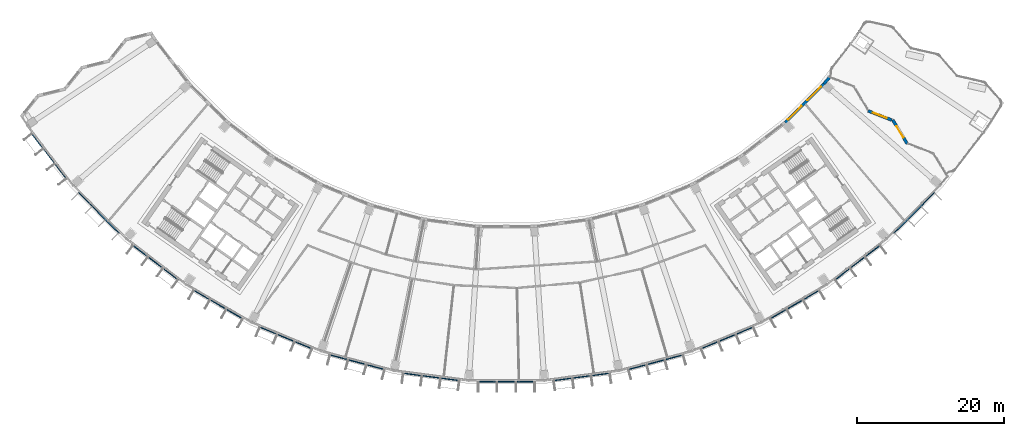
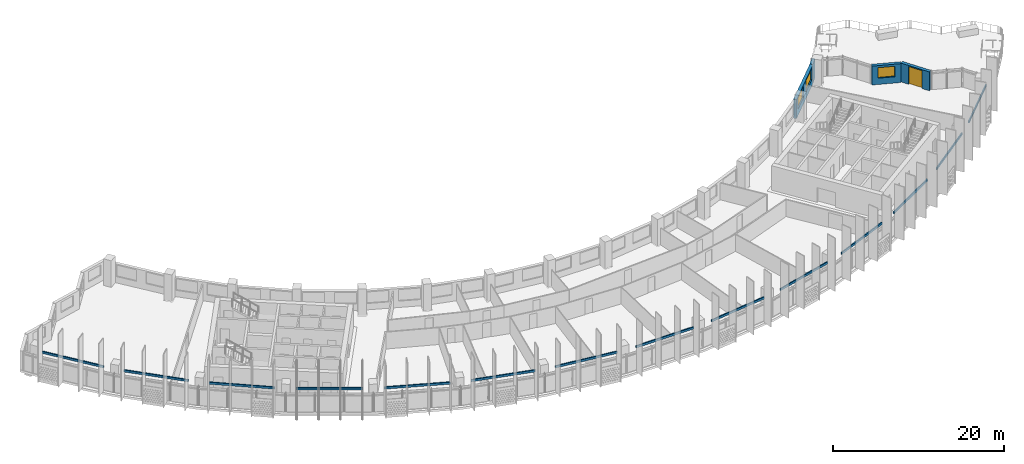
# One storey, part 7 of 30: 14 discrete accessories, 4 walls, 3 windows, 1 door, 4 openings.
"""IFC4 building model written with IfcOpenShell, lengths in metres."""

from ifc_helpers import new_model, si_unit, direction, frame, frame_2d, origin, origin_2d, place, context, subcontext, project, spatial, rectangle, extrude, material, layer, layer_set, type_object, element, fill, save


model = new_model("IFC4")

# Units and contexts
model_context = context("Model", 3, precision=1e-05, world=origin(), true_north=direction((0.0, 1.0)))
body_context = subcontext(model_context, "Body", "Model", "MODEL_VIEW")
ifc_project = project(units=[si_unit("LENGTHUNIT", "METRE"), si_unit("AREAUNIT", "SQUARE_METRE"), si_unit("VOLUMEUNIT", "CUBIC_METRE"), si_unit("PLANEANGLEUNIT", "RADIAN"), si_unit("MASSUNIT", "GRAM", prefix="KILO")], contexts=[model_context])

# Site, building, storey
site_placement = place(None, origin())
site = spatial("IfcSite", under=ifc_project, at=site_placement, CompositionType="ELEMENT")
building_placement = place(site_placement, origin())
building = spatial("IfcBuilding", under=site, at=building_placement, Name="Qamariyya Broadcast Tower", CompositionType="ELEMENT")
storey_placement = place(building_placement, frame((0.0, 0.0, 203.699951171875)))
storey = spatial("IfcBuildingStorey", under=building, at=storey_placement, Name="L48", CompositionType="ELEMENT", Elevation=203.699951171875)

# Wall, opening, door
ifc_material_1 = material(Name="Terracotta", Category="masonry")
ifc_layer = layer(ifc_material_1, 0.39990234375)
ifc_layer_set = layer_set([ifc_layer], Name="Terracotta clad wall 400")
wall_type = type_object("IfcWallType", Name="Terracotta clad wall 400", PredefinedType="SOLIDWALL", material=ifc_layer_set)
wall_1_placement = place(storey_placement, frame((54.599365234375, -46.143310546875, 0.0), z_axis=(0.0, 0.0, 1.0), x_axis=(-0.519904253802, 0.854224541253, 0.0)))
wall_1 = element("IfcWall", 1, at=wall_1_placement, inside=storey, type_object=wall_type, Name="e-wl-L48-capE2", PredefinedType="SOLIDWALL", context=body_context, shape_type="SweptSolid", body=[
    extrude(rectangle(XDim=3.809814453125, YDim=0.39990234375, at=frame_2d((1.90478515625, 0.0))), origin(), (0.0, 0.0, 1.0), 2.699951171875),
])
opening_1_placement = place(wall_1_placement, frame((1.0048828125, 0.0, 0.0)))
opening_1 = element("IfcOpeningElement", 2, at=opening_1_placement, cuts=wall_1, Name="Opening ED5", PredefinedType="OPENING", context=body_context, shape_type="SweptSolid", body=[
    extrude(rectangle(XDim=1.800048828125, YDim=2.550048828125, at=frame_2d((0.89990234375, 1.27490234375))), frame((0.0, 0.2099609375, 0.0), z_axis=(0.0, -1.0, 0.0), x_axis=(1.0, 0.0, 0.0)), (0.0, 0.0, 1.0), 0.419921875),
])
ifc_material_2 = material(Name="Toughened glass in stainless steel frame", Category="steel")
door_type = type_object("IfcDoorType", Name="Terrace door 1800 x 2550", OperationType="DOUBLE_DOOR_DOUBLE_SWING", PredefinedType="DOOR", material=ifc_material_2)
door_placement = place(opening_1_placement, origin())
door = element("IfcDoor", 3, at=door_placement, inside=storey, type_object=door_type, Name="e-ed-L48-terraceE", OperationType="DOUBLE_DOOR_DOUBLE_SWING", OverallHeight=2.550048828125, OverallWidth=1.800048828125, PredefinedType="DOOR", context=body_context, shape_type="SweptSolid", body=[
    extrude(rectangle(XDim=1.800048828125, YDim=2.550048828125, at=frame_2d((0.89990234375, 1.27490234375))), frame((0.0, 0.02490234375, 0.0), z_axis=(0.0, -1.0, 0.0), x_axis=(1.0, 0.0, 0.0)), (0.0, 0.0, 1.0), 0.050048828125),
])
fill(opening_1, door)

# Wall, opening, window
wall_2_placement = place(storey_placement, frame((52.4794921875, -42.91259765625, 0.0), z_axis=(0.0, 0.0, 1.0), x_axis=(-0.931550168819, 0.363612820145, 0.0)))
wall_2 = element("IfcWall", 4, at=wall_2_placement, inside=storey, type_object=wall_type, Name="e-wl-L48-capE3", PredefinedType="SOLIDWALL", context=body_context, shape_type="SweptSolid", body=[
    extrude(rectangle(XDim=3.453125, YDim=0.39990234375, at=frame_2d((1.7265625, 0.0))), origin(), (0.0, 0.0, 1.0), 2.699951171875),
])
opening_2_placement = place(wall_2_placement, frame((0.7265625, 0.0, 0.89990234375)))
opening_2 = element("IfcOpeningElement", 5, at=opening_2_placement, cuts=wall_2, Name="Opening W4", PredefinedType="OPENING", context=body_context, shape_type="SweptSolid", body=[
    extrude(rectangle(XDim=2.0, YDim=1.5, at=frame_2d((1.0, 0.75))), frame((0.0, 0.2099609375, 0.0), z_axis=(0.0, -1.0, 0.0), x_axis=(1.0, 0.0, 0.0)), (0.0, 0.0, 1.0), 0.419921875),
])
ifc_material_3 = material(Name="Clear low-e double glazed unit in aluminium frame", Category="aluminium")
window_type_1 = type_object("IfcWindowType", Name="Horn bay window 2000 x 1500", PartitioningType="SINGLE_PANEL", PredefinedType="WINDOW", material=ifc_material_3)
window_1_placement = place(opening_2_placement, origin())
window_1 = element("IfcWindow", 6, at=window_1_placement, inside=storey, type_object=window_type_1, Name="e-w-L48-capE3", OverallHeight=1.5, OverallWidth=2.0, PartitioningType="SINGLE_PANEL", PredefinedType="WINDOW", context=body_context, shape_type="SweptSolid", body=[
    extrude(rectangle(XDim=2.0, YDim=1.5, at=frame_2d((1.0, 0.75))), frame((0.0, 0.030029296875, 0.0), z_axis=(0.0, -1.0, 0.0), x_axis=(1.0, 0.0, 0.0)), (0.0, 0.0, 1.0), 0.06005859375),
])
fill(opening_2, window_1)

# Wall, openings, windows
wall_3_placement = place(storey_placement, frame((43.24365234375, -37.970703125, 0.0), z_axis=(0.0, 0.0, 1.0), x_axis=(-0.707106781187, -0.707106781187, 0.0)))
wall_3 = element("IfcWall", 7, at=wall_3_placement, inside=storey, type_object=wall_type, Name="e-wl-L48-in140", PredefinedType="SOLIDWALL", context=body_context, shape_type="SweptSolid", body=[
    extrude(rectangle(XDim=7.44189453125, YDim=0.39990234375, at=frame_2d((3.720947265625, 0.0))), origin(), (0.0, 0.0, 1.0), 2.699951171875),
])
opening_3_placement = place(wall_3_placement, frame((4.303955078125, 0.0, 0.89990234375)))
opening_3 = element("IfcOpeningElement", 8, at=opening_3_placement, cuts=wall_3, Name="Opening W1", PredefinedType="OPENING", context=body_context, shape_type="SweptSolid", body=[
    extrude(rectangle(XDim=2.60009765625, YDim=1.64990234375, at=frame_2d((1.300048828125, 0.824951171875))), frame((0.0, 0.2099609375, 0.0), z_axis=(0.0, -1.0, 0.0), x_axis=(1.0, 0.0, 0.0)), (0.0, 0.0, 1.0), 0.419921875),
])
opening_4_placement = place(wall_3_placement, frame((0.552978515625, 0.0, 0.89990234375)))
opening_4 = element("IfcOpeningElement", 9, at=opening_4_placement, cuts=wall_3, Name="Opening W1", PredefinedType="OPENING", context=body_context, shape_type="SweptSolid", body=[
    extrude(rectangle(XDim=2.60009765625, YDim=1.64990234375, at=frame_2d((1.300048828125, 0.824951171875))), frame((0.0, 0.2099609375, 0.0), z_axis=(0.0, -1.0, 0.0), x_axis=(1.0, 0.0, 0.0)), (0.0, 0.0, 1.0), 0.419921875),
])
window_type_2 = type_object("IfcWindowType", Name="Ribbon window 2600 x 1650", PartitioningType="SINGLE_PANEL", PredefinedType="WINDOW", material=ifc_material_3)
window_2_placement = place(opening_3_placement, origin())
window_2 = element("IfcWindow", 10, at=window_2_placement, inside=storey, type_object=window_type_2, Name="e-w-L48-in14-0", OverallHeight=1.64990234375, OverallWidth=2.60009765625, PartitioningType="SINGLE_PANEL", PredefinedType="WINDOW", context=body_context, shape_type="SweptSolid", body=[
    extrude(rectangle(XDim=2.60009765625, YDim=1.64990234375, at=frame_2d((1.300048828125, 0.824951171875))), frame((0.0, 0.030029296875, 0.0), z_axis=(0.0, -1.0, 0.0), x_axis=(1.0, 0.0, 0.0)), (0.0, 0.0, 1.0), 0.06005859375),
])
fill(opening_3, window_2)
window_3_placement = place(opening_4_placement, origin())
window_3 = element("IfcWindow", 11, at=window_3_placement, inside=storey, type_object=window_type_2, Name="e-w-L48-in14-1", OverallHeight=1.64990234375, OverallWidth=2.60009765625, PartitioningType="SINGLE_PANEL", PredefinedType="WINDOW", context=body_context, shape_type="SweptSolid", body=[
    extrude(rectangle(XDim=2.60009765625, YDim=1.64990234375, at=frame_2d((1.300048828125, 0.824951171875))), frame((0.0, 0.030029296875, 0.0), z_axis=(0.0, -1.0, 0.0), x_axis=(1.0, 0.0, 0.0)), (0.0, 0.0, 1.0), 0.06005859375),
])
fill(opening_4, window_3)

# Wall
wall_4_placement = place(storey_placement, frame((44.05224609375, -37.032470703125, 0.0), z_axis=(0.0, 0.0, 1.0), x_axis=(-0.651399082561, -0.75873528667, 0.0)))
element("IfcWall", 12, at=wall_4_placement, inside=storey, type_object=wall_type, Name="e-wl-L48-in150", PredefinedType="SOLIDWALL", context=body_context, shape_type="SweptSolid", body=[
    extrude(rectangle(XDim=1.2236328125, YDim=0.39990234375, at=frame_2d((0.61181640625, 0.0))), origin(), (0.0, 0.0, 1.0), 2.699951171875),
])

# Discrete accessories
ifc_material_4 = material(Name="Stainless steel 316", Category="steel")
discrete_accessory_type = type_object("IfcDiscreteAccessoryType", Name="Slab edge fixing angle, stainless steel", PredefinedType="BRACKET", material=ifc_material_4)
for number, where, z_axis, x_axis, name in (
    (13, (-62.3232421875, -47.822265625, 3.2998046875), (0.0, 0.0, 1.0), (0.608761429009, -0.793353340291, 0.0), "e-br-L48-01-0"),
    (14, (-55.5478515625, -55.5478515625, 3.2998046875), (0.0, 0.0, 1.0), (0.707106781187, -0.707106781187, 0.0), "e-br-L48-02-0"),
    (15, (-47.822265625, -62.3232421875, 3.2998046875), (0.0, 0.0, 1.0), (0.793353340291, -0.608761429009, 0.0), "e-br-L48-03-0"),
    (16, (-39.2783203125, -68.031982421875, 3.2998046875), (0.0, 0.0, 1.0), (0.866025403784, -0.5, 0.0), "e-br-L48-04-0"),
    (17, (-30.062255859375, -72.576904296875, 3.2998046875), (0.0, 0.0, 1.0), (0.923879532511, -0.382683432365, 0.0), "e-br-L48-05-0"),
    (18, (-20.33203125, -75.8798828125, 3.2998046875), (0.0, 0.0, 1.0), (0.965925826289, -0.258819045103, 0.0), "e-br-L48-06-0"),
    (19, (-10.253662109375, -77.884521484375, 3.2998046875), (0.0, 0.0, 1.0), (0.991444861374, -0.13052619222, 0.0), "e-br-L48-07-0"),
    (20, (0.0, -78.556640625, 3.2998046875), (0.0, 0.0, 1.0), (1.0, 0.0, 0.0), "e-br-L48-08-0"),
    (21, (10.253662109375, -77.884521484375, 3.2998046875), (0.0, 0.0, 1.0), (0.991444861374, 0.13052619222, 0.0), "e-br-L48-09-0"),
    (22, (20.33203125, -75.8798828125, 3.2998046875), (0.0, 0.0, 1.0), (0.965925826289, 0.258819045103, 0.0), "e-br-L48-10-0"),
    (23, (30.062255859375, -72.576904296875, 3.2998046875), (0.0, 0.0, 1.0), (0.923879532511, 0.382683432365, 0.0), "e-br-L48-11-0"),
    (24, (39.2783203125, -68.031982421875, 3.2998046875), (0.0, 0.0, 1.0), (0.866025403784, 0.5, 0.0), "e-br-L48-12-0"),
    (25, (47.822265625, -62.3232421875, 3.2998046875), (0.0, 0.0, 1.0), (0.793353340291, 0.608761429009, 0.0), "e-br-L48-13-0"),
    (26, (55.5478515625, -55.5478515625, 3.2998046875), (0.0, 0.0, 1.0), (0.707106781187, 0.707106781187, 0.0), "e-br-L48-14-0"),
):
    element("IfcDiscreteAccessory", number, at=place(storey_placement, frame(where, z_axis=z_axis, x_axis=x_axis)), inside=storey, type_object=discrete_accessory_type, Name=name, PredefinedType="BRACKET", context=body_context, shape_type="SweptSolid", body=[
        extrude(rectangle(XDim=7.81591796875, YDim=0.14990234375, at=origin_2d()), origin(), (0.0, 0.0, 1.0), 0.300048828125),
    ])

save(model, "model.ifc")
